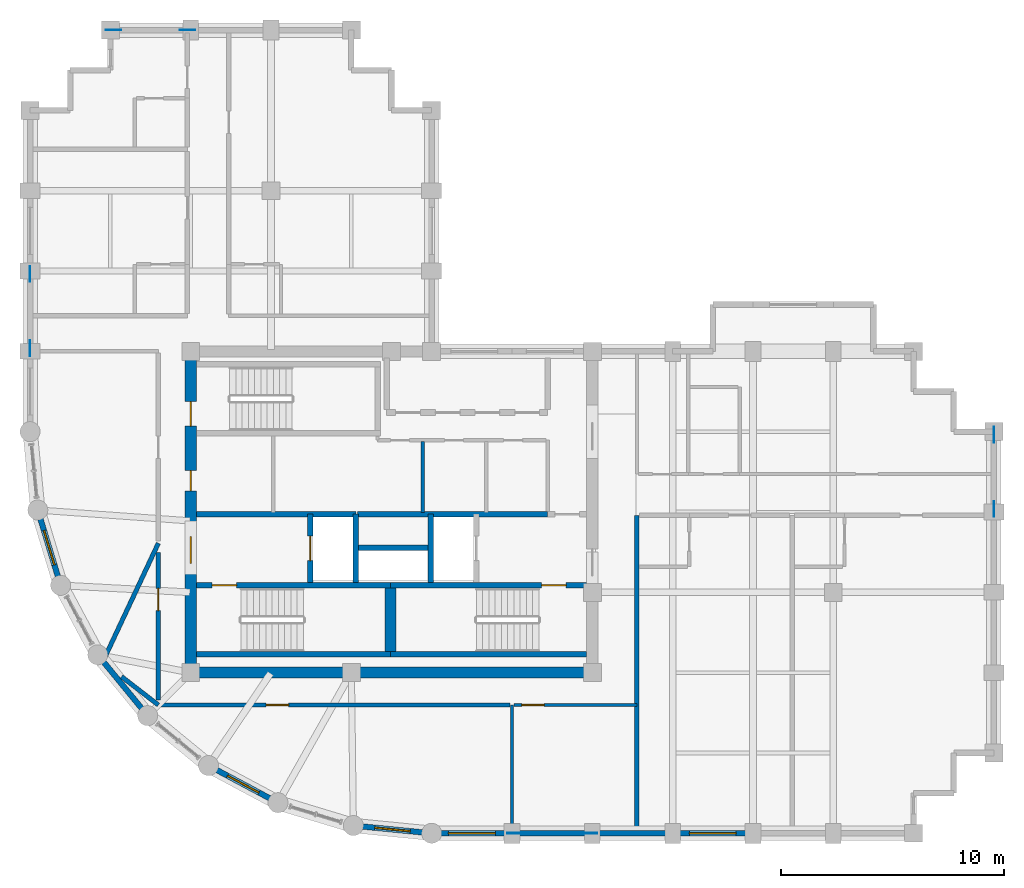
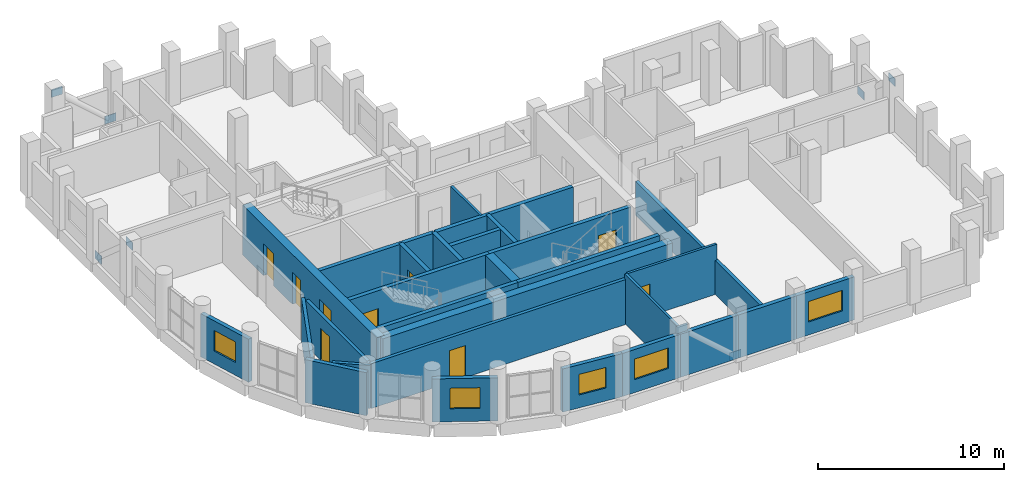
# One storey, part 7 of 11: 29 walls, 9 doors, 8 plates, 5 windows, 14 openings.
"""IFC4 building model written with IfcOpenShell, lengths in metres."""

import ifcopenshell
import ifcopenshell.guid

model = None  # the IFC model being written
_history = None  # IfcOwnerHistory: only IFC2X3 demands one
_inside = {}  # id of a spatial element -> (the spatial element, [elements in it])
_under = {}  # id of a project, library or spatial element -> (it, [spatial elements below it])
_declared = {}  # id of a project -> (the project, [libraries it declares])
_typed = {}  # id of a type object -> (the type object, [elements of that type])
_made_of = {}  # id of a material, layer set ... -> (it, [elements and type objects made of it])


def new_model(schema):
    """Start an empty IFC model of exactly this schema.

    Asked for "IFC4X3", IfcOpenShell would pick the latest addendum, in which some entities
    have other attributes; the version numbers below select the first issue.
    IFC2X3 requires an IfcOwnerHistory on every rooted entity: one is made here for all.
    """
    global model, _history
    if schema == "IFC4X3":
        model = ifcopenshell.file(schema_version=(4, 3, 0, 0))
    else:
        model = ifcopenshell.file(schema=schema)
    _inside.clear()
    _under.clear()
    _declared.clear()
    _typed.clear()
    _made_of.clear()
    _history = None
    if model.schema == "IFC2X3":
        org = make("IfcOrganization", Name="unknown")
        user = make(
            "IfcPersonAndOrganization",
            ThePerson=make("IfcPerson", FamilyName="unknown"),
            TheOrganization=org,
        )
        app = make(
            "IfcApplication",
            ApplicationDeveloper=org,
            Version="unknown",
            ApplicationFullName="unknown",
            ApplicationIdentifier="unknown",
        )
        _history = make(
            "IfcOwnerHistory",
            OwningUser=user,
            OwningApplication=app,
            ChangeAction="ADDED",
            CreationDate=0,
        )
    return model


def make(cls, **values):
    """One entity of the class cls with the attributes given. An attribute that is None is left unset."""
    return model.create_entity(
        cls, **{name: value for name, value in values.items() if value is not None}
    )


def rooted(cls, **values):
    """An entity with a GlobalId (a new one), such as an element, a storey or a relation."""
    return make(cls, GlobalId=ifcopenshell.guid.new(), OwnerHistory=_history, **values)


def si_unit(unit_type, name, prefix=None):
    """IfcSIUnit, for example si_unit("LENGTHUNIT", "METRE", prefix="MILLI")."""
    return make("IfcSIUnit", UnitType=unit_type, Prefix=prefix, Name=name)


def assignment(units):
    """IfcUnitAssignment: the units of a project."""
    return None if units is None else make("IfcUnitAssignment", Units=units)


def point(xyz):
    """IfcCartesianPoint."""
    return None if xyz is None else make("IfcCartesianPoint", Coordinates=xyz)


def direction(xyz):
    """IfcDirection."""
    return None if xyz is None else make("IfcDirection", DirectionRatios=xyz)


def frame(location, z_axis=None, x_axis=None):
    """IfcAxis2Placement3D, a coordinate frame: its origin and axes. An axis left out is left unset."""
    return make(
        "IfcAxis2Placement3D",
        Location=point(location),
        Axis=direction(z_axis),
        RefDirection=direction(x_axis),
    )


def frame_2d(location, x_axis=None):
    """IfcAxis2Placement2D, a coordinate frame in the plane: its origin and x axis."""
    return make(
        "IfcAxis2Placement2D", Location=point(location), RefDirection=direction(x_axis)
    )


def origin():
    """The frame at (0, 0, 0) with its axes left unset."""
    return frame((0.0, 0.0, 0.0))


def origin_2d():
    """The frame at (0, 0) in the plane with its x axis left unset."""
    return frame_2d((0.0, 0.0))


def place(relative_to, where):
    """IfcLocalPlacement: puts the frame where relative to a parent placement (None: the world)."""
    return make(
        "IfcLocalPlacement", PlacementRelTo=relative_to, RelativePlacement=where
    )


def context(
    kind, dimensions, precision=None, world=None, true_north=None, identifier=None
):
    """IfcGeometricRepresentationContext, for example the 3D "Model" context."""
    return make(
        "IfcGeometricRepresentationContext",
        ContextIdentifier=identifier,
        ContextType=kind,
        CoordinateSpaceDimension=dimensions,
        Precision=precision,
        WorldCoordinateSystem=world,
        TrueNorth=true_north,
    )


def subcontext(parent, identifier, kind, view, scale=None):
    """IfcGeometricRepresentationSubContext, for example "Body" below "Model"."""
    return make(
        "IfcGeometricRepresentationSubContext",
        ContextIdentifier=identifier,
        ContextType=kind,
        ParentContext=parent,
        TargetScale=scale,
        TargetView=view,
    )


def project(units=None, contexts=None):
    """IfcProject with its units and contexts."""
    return rooted(
        "IfcProject",
        Name="project",
        RepresentationContexts=contexts,
        UnitsInContext=assignment(units),
    )


def spatial(cls, under=None, at=None, **own):
    """A site, building, storey or space (cls), placed at a placement, below another one or the project."""
    s = rooted(cls, ObjectPlacement=at, **own)
    if under is not None:
        _under.setdefault(under.id(), (under, []))[1].append(s)
    return s


def profile(cls, at=None, kind="AREA", **sizes):
    """A parametric profile (cls). Its sizes go by their IFC names, for example OverallWidth=200.0."""
    return make(cls, ProfileType=kind, Position=at, **sizes)


def rectangle(**sizes):
    """IfcRectangleProfileDef."""
    return profile("IfcRectangleProfileDef", **sizes)


def extrude(swept, where, along, depth):
    """IfcExtrudedAreaSolid: the profile swept, set in the frame where, extruded along a direction by depth."""
    return make(
        "IfcExtrudedAreaSolid",
        SweptArea=swept,
        Position=where,
        ExtrudedDirection=direction(along),
        Depth=depth,
    )


def shape(context_of_items, identifier, shape_type, items):
    """IfcShapeRepresentation: the items that make up one representation, for example the "Body"."""
    return make(
        "IfcShapeRepresentation",
        ContextOfItems=context_of_items,
        RepresentationIdentifier=identifier,
        RepresentationType=shape_type,
        Items=items,
    )


def material(Name=None, Category=None):
    """IfcMaterial."""
    return make("IfcMaterial", Name=Name, Category=Category)


def layer(
    of_material, thickness, ventilated=None, Name=None, Category=None, Priority=None
):
    """IfcMaterialLayer: one layer of a wall or slab, of a material (None: an air gap)."""
    return make(
        "IfcMaterialLayer",
        Material=of_material,
        LayerThickness=thickness,
        IsVentilated=ventilated,
        Name=Name,
        Category=Category,
        Priority=Priority,
    )


def layer_set(layers, Name=None):
    """IfcMaterialLayerSet."""
    return make("IfcMaterialLayerSet", MaterialLayers=layers, LayerSetName=Name)


def made_of(thing, what):
    """Note that an element or type object is made of a material, layer set ...; save() writes the relation."""
    if what is not None:
        _made_of.setdefault(what.id(), (what, []))[1].append(thing)
    return thing


def type_object(cls, material=None, **own):
    """A type object (cls), such as IfcWallType, which elements share."""
    return made_of(rooted(cls, **own), material)


def element(
    cls,
    number,
    at=None,
    inside=None,
    cuts=None,
    type_object=None,
    material=None,
    context=None,
    identifier="Body",
    shape_type=None,
    held_by="IfcProductDefinitionShape",
    body=None,
    shapes=None,
    **own,
):
    """One element of the class cls, such as IfcWall. Its Tag is "e" and its number.

    at: its placement. inside: the storey or other place that contains it. cuts: it is an
    opening in that element (IfcRelVoidsElement). A single representation is given by context,
    identifier, shape_type and body (its items); several are given by shapes. held_by: the class
    of the entity that holds the representations. save() writes the other relations.
    """
    e = rooted(cls, Tag="e%d" % number, ObjectPlacement=at, **own)
    if body is not None:
        shapes = [shape(context, identifier, shape_type, body)]
    if shapes is not None:
        e.Representation = make(held_by, Representations=shapes)
    if inside is not None:
        _inside.setdefault(inside.id(), (inside, []))[1].append(e)
    if cuts is not None:
        rooted(
            "IfcRelVoidsElement", RelatingBuildingElement=cuts, RelatedOpeningElement=e
        )
    if type_object is not None:
        _typed.setdefault(type_object.id(), (type_object, []))[1].append(e)
    return made_of(e, material)


def fill(opening, filler):
    """IfcRelFillsElement: the door or window that sits in an opening."""
    return rooted(
        "IfcRelFillsElement",
        RelatingOpeningElement=opening,
        RelatedBuildingElement=filler,
    )


def aggregate(whole, parts):
    """IfcRelAggregates: a whole, such as a stair, and the parts it consists of."""
    return rooted("IfcRelAggregates", RelatingObject=whole, RelatedObjects=parts)


def save(model, path):
    """Write the relations noted so far, then the file.

    IfcRelAggregates (storeys below a building ...), IfcRelContainedInSpatialStructure (elements
    in a storey), IfcRelDefinesByType, IfcRelAssociatesMaterial and IfcRelDeclares: one each for
    every whole, place, type object, material and project.
    """
    for whole, parts in _under.values():
        aggregate(whole, parts)
    for where, things in _inside.values():
        rooted(
            "IfcRelContainedInSpatialStructure",
            RelatedElements=things,
            RelatingStructure=where,
        )
    for kind, things in _typed.values():
        rooted("IfcRelDefinesByType", RelatedObjects=things, RelatingType=kind)
    for what, things in _made_of.values():
        rooted("IfcRelAssociatesMaterial", RelatedObjects=things, RelatingMaterial=what)
    for by, libraries in _declared.values():
        rooted("IfcRelDeclares", RelatingContext=by, RelatedDefinitions=libraries)
    model.write(path)


model = new_model("IFC4")

# Units and contexts
model_context = context("Model", 3, precision=1e-05, world=origin(), true_north=direction((0.0, 1.0)))
body_context = subcontext(model_context, "Body", "Model", "MODEL_VIEW")
ifc_project = project(units=[si_unit("LENGTHUNIT", "METRE"), si_unit("AREAUNIT", "SQUARE_METRE"), si_unit("VOLUMEUNIT", "CUBIC_METRE"), si_unit("PLANEANGLEUNIT", "RADIAN"), si_unit("MASSUNIT", "GRAM", prefix="KILO")], contexts=[model_context])

# Site, building, storey
site_placement = place(None, origin())
site = spatial("IfcSite", under=ifc_project, at=site_placement, CompositionType="ELEMENT")
building_placement = place(site_placement, origin())
building = spatial("IfcBuilding", under=site, at=building_placement, Name="Solnavia Interchange Tower", CompositionType="ELEMENT")
storey_placement = place(building_placement, frame((0.0, 0.0, 217.39990234375)))
storey = spatial("IfcBuildingStorey", under=building, at=storey_placement, Name="L54", CompositionType="ELEMENT", Elevation=217.39990234375)

# Plates
ifc_material_1 = material(Name="Steel S460", Category="steel")
ifc_layer_1 = layer(ifc_material_1, 0.030029296875)
ifc_layer_set_1 = layer_set([ifc_layer_1], Name="Steel S460")
plate_type = type_object("IfcPlateType", Name="Plate-Gusset-700x520x30", PredefinedType="USERDEFINED", material=ifc_layer_set_1)
for number, where, z_axis, x_axis, name in (
    (1, (32.260009765625, 3.60009765625, -0.079833984375), (0.0, 0.0, 1.0), (-1.0, 0.0, 0.0), "PLT-L54-GP01 Perimeter brace gusset plate"),
    (2, (28.93994140625, 3.60009765625, 2.840087890625), (0.0, 0.0, 1.0), (-1.0, 0.0, 0.0), "PLT-L54-GP02 Perimeter brace gusset plate"),
    (3, (7.199951171875, 28.659912109375, -0.079833984375), (0.0, 0.0, 1.0), (0.0, -1.0, 0.0), "PLT-L54-GP03 Perimeter brace gusset plate"),
    (4, (7.199951171875, 25.340087890625, 2.840087890625), (0.0, 0.0, 1.0), (0.0, -1.0, 0.0), "PLT-L54-GP04 Perimeter brace gusset plate"),
    (5, (50.39990234375, 21.4599609375, -0.079833984375), (0.0, 0.0, 1.0), (0.0, -1.0, 0.0), "PLT-L54-GP05 Perimeter brace gusset plate"),
    (6, (50.39990234375, 18.139892578125, 2.840087890625), (0.0, 0.0, 1.0), (0.0, -1.0, 0.0), "PLT-L54-GP06 Perimeter brace gusset plate"),
    (7, (14.260009765625, 39.60009765625, -0.079833984375), (0.0, 0.0, 1.0), (-1.0, 0.0, 0.0), "PLT-L54-GP07 Perimeter brace gusset plate"),
    (8, (10.93994140625, 39.60009765625, 2.840087890625), (0.0, 0.0, 1.0), (-1.0, 0.0, 0.0), "PLT-L54-GP08 Perimeter brace gusset plate"),
):
    element("IfcPlate", number, at=place(storey_placement, frame(where, z_axis=z_axis, x_axis=x_axis)), inside=storey, type_object=plate_type, Name=name, ObjectType="GUSSET PLATE", PredefinedType="USERDEFINED", context=body_context, shape_type="SweptSolid", body=[
        extrude(rectangle(XDim=0.699951171875, YDim=0.030029296875, at=origin_2d()), origin(), (0.0, 0.0, 1.0), 0.52001953125),
    ])

# Walls
ifc_material_2 = material(Name="Gypsum Acoustic Twin-Stud & Mineral Wool", Category="gypsum")
ifc_layer_2 = layer(ifc_material_2, 0.199951171875)
ifc_layer_set_2 = layer_set([ifc_layer_2], Name="Gypsum Acoustic Twin-Stud & Mineral Wool")
wall_type_1 = type_object("IfcWallType", Name="Wall-ApartmentParty-200", PredefinedType="PARTITIONING", material=ifc_layer_set_2)
wall_1_placement = place(storey_placement, frame((12.949951171875, 9.35009765625, 0.0), z_axis=(0.0, 0.0, 1.0), x_axis=(-0.791573423038, 0.611074067474, 0.0)))
element("IfcWall", 9, at=wall_1_placement, inside=storey, type_object=wall_type_1, Name="PTW-L54-09 Interior partition wall", PredefinedType="PARTITIONING", context=body_context, shape_type="SweptSolid", body=[
    extrude(rectangle(XDim=2.084228515625, YDim=0.199951171875, at=frame_2d((1.0419921875, 0.0))), origin(), (0.0, 0.0, 1.0), 2.830078125),
])
wall_2_placement = place(storey_placement, frame((12.949951171875, 16.60009765625, 0.0), z_axis=(0.0, 0.0, 1.0), x_axis=(-0.424351425714, -0.90549758006, 0.0)))
element("IfcWall", 10, at=wall_2_placement, inside=storey, type_object=wall_type_1, Name="PTW-L54-10 Interior partition wall", PredefinedType="PARTITIONING", context=body_context, shape_type="SweptSolid", body=[
    extrude(rectangle(XDim=5.614013671875, YDim=0.199951171875, at=frame_2d((2.80712890625, 0.0))), origin(), (0.0, 0.0, 1.0), 2.830078125),
])

# Wall, opening, door
wall_3_placement = place(storey_placement, frame((12.949951171875, 9.577392578125, 0.0), z_axis=(0.0, 0.0, 1.0), x_axis=(0.0, 1.0, 0.0)))
wall_3 = element("IfcWall", 11, at=wall_3_placement, inside=storey, type_object=wall_type_1, Name="PTW-L54-12 Interior partition wall", PredefinedType="PARTITIONING", context=body_context, shape_type="SweptSolid", body=[
    extrude(rectangle(XDim=6.598388671875, YDim=0.199951171875, at=frame_2d((3.29931640625, 0.0))), origin(), (0.0, 0.0, 1.0), 2.9501953125),
])
opening_1_placement = place(wall_3_placement, frame((4.00390625, 0.0, 0.0)))
opening_1 = element("IfcOpeningElement", 12, at=opening_1_placement, cuts=wall_3, Name="Opening DR-07", PredefinedType="OPENING", context=body_context, shape_type="SweptSolid", body=[
    extrude(rectangle(XDim=1.0, YDim=2.10009765625, at=frame_2d((0.5, 1.050048828125))), frame((0.0, 0.10986328125, 0.0), z_axis=(0.0, -1.0, 0.0), x_axis=(1.0, 0.0, 0.0)), (0.0, 0.0, 1.0), 0.219970703125),
])
ifc_material_3 = material(Name="Timber & Acoustic Glazed Office Door", Category="wood")
door_type_1 = type_object("IfcDoorType", Name="Door-Office-1000x2100", OperationType="SINGLE_SWING_RIGHT", PredefinedType="DOOR", material=ifc_material_3)
door_1_placement = place(opening_1_placement, origin())
door_1 = element("IfcDoor", 13, at=door_1_placement, inside=storey, type_object=door_type_1, Name="DR-L54-04 Interior room door", OperationType="SINGLE_SWING_RIGHT", OverallHeight=2.10009765625, OverallWidth=1.0, PredefinedType="DOOR", context=body_context, shape_type="SweptSolid", body=[
    extrude(rectangle(XDim=1.0, YDim=2.10009765625, at=frame_2d((0.5, 1.050048828125))), frame((0.0, 0.02490234375, 0.0), z_axis=(0.0, -1.0, 0.0), x_axis=(1.0, 0.0, 0.0)), (0.0, 0.0, 1.0), 0.050048828125),
])
fill(opening_1, door_1)

wall_4_placement = place(storey_placement, frame((12.949951171875, 9.35009765625, 0.0), z_axis=(0.0, 0.0, 1.0), x_axis=(1.0, 0.0, 0.0)))
wall_4 = element("IfcWall", 14, at=wall_4_placement, inside=storey, type_object=wall_type_1, Name="PTW-L54-13 Interior partition wall", PredefinedType="PARTITIONING", context=body_context, shape_type="SweptSolid", body=[
    extrude(rectangle(XDim=15.77099609375, YDim=0.199951171875, at=frame_2d((7.885498046875, 0.0))), origin(), (0.0, 0.0, 1.0), 2.9501953125),
])
opening_2_placement = place(wall_4_placement, frame((4.8359375, 0.0, 0.0)))
opening_2 = element("IfcOpeningElement", 15, at=opening_2_placement, cuts=wall_4, Name="Opening DR-07", PredefinedType="OPENING", context=body_context, shape_type="SweptSolid", body=[
    extrude(rectangle(XDim=1.0, YDim=2.10009765625, at=frame_2d((0.5, 1.050048828125))), frame((0.0, 0.10986328125, 0.0), z_axis=(0.0, -1.0, 0.0), x_axis=(1.0, 0.0, 0.0)), (0.0, 0.0, 1.0), 0.219970703125),
])
door_2_placement = place(opening_2_placement, origin())
door_2 = element("IfcDoor", 16, at=door_2_placement, inside=storey, type_object=door_type_1, Name="DR-L54-05 Interior room door", OperationType="SINGLE_SWING_LEFT", OverallHeight=2.10009765625, OverallWidth=1.0, PredefinedType="DOOR", context=body_context, shape_type="SweptSolid", body=[
    extrude(rectangle(XDim=1.0, YDim=2.10009765625, at=frame_2d((0.5, 1.050048828125))), frame((0.0, 0.02490234375, 0.0), z_axis=(0.0, -1.0, 0.0), x_axis=(1.0, 0.0, 0.0)), (0.0, 0.0, 1.0), 0.050048828125),
])
fill(opening_2, door_2)

# Wall
wall_5_placement = place(storey_placement, frame((34.39990234375, 3.72900390625, 0.0), z_axis=(0.0, 0.0, 1.0), x_axis=(0.0, 1.0, 0.0)))
element("IfcWall", 17, at=wall_5_placement, inside=storey, type_object=wall_type_1, Name="PTW-L54-15 Interior partition wall", PredefinedType="PARTITIONING", context=body_context, shape_type="SweptSolid", body=[
    extrude(rectangle(XDim=14.12109375, YDim=0.199951171875, at=frame_2d((7.060546875, 0.0))), origin(), (0.0, 0.0, 1.0), 2.22998046875),
])

# Wall, opening, window
ifc_material_4 = material(Name="Concrete C40/50", Category="concrete")
ifc_layer_3 = layer(ifc_material_4, 0.25)
ifc_layer_set_3 = layer_set([ifc_layer_3], Name="Concrete C40/50")
wall_type_2 = type_object("IfcWallType", Name="Wall-ExtSpandrel-250", PredefinedType="STANDARD", material=ifc_layer_set_3)
wall_6_placement = place(storey_placement, frame((28.800048828125, 3.60009765625, 0.0), z_axis=(0.0, 0.0, 1.0), x_axis=(-1.0, 0.0, 0.0)))
wall_6 = element("IfcWall", 18, at=wall_6_placement, inside=storey, type_object=wall_type_2, Name="EXW-L54-01 Exterior precast spandrel wall", PredefinedType="STANDARD", context=body_context, shape_type="SweptSolid", body=[
    extrude(rectangle(XDim=3.60009765625, YDim=0.25, at=frame_2d((1.800048828125, 0.0))), origin(), (0.0, 0.0, 1.0), 2.830078125),
])
opening_3_placement = place(wall_6_placement, frame((0.75, 0.0, 0.85009765625)))
opening_3 = element("IfcOpeningElement", 19, at=opening_3_placement, cuts=wall_6, Name="Opening WIN-01", PredefinedType="OPENING", context=body_context, shape_type="SweptSolid", body=[
    extrude(rectangle(XDim=2.10009765625, YDim=1.35009765625, at=frame_2d((1.050048828125, 0.675048828125))), frame((0.0, 0.135009765625, 0.0), z_axis=(0.0, -1.0, 0.0), x_axis=(1.0, 0.0, 0.0)), (0.0, 0.0, 1.0), 0.27001953125),
])
ifc_material_5 = material(Name="Thermal-Break Aluminium & Low-E Glass", Category="aluminium")
window_type_1 = type_object("IfcWindowType", Name="Window-Ribbon-2100x1350", PartitioningType="SINGLE_PANEL", PredefinedType="WINDOW", material=ifc_material_5)
window_1_placement = place(opening_3_placement, origin())
window_1 = element("IfcWindow", 20, at=window_1_placement, inside=storey, type_object=window_type_1, Name="WIN-L54-01 Facade ribbon window", OverallHeight=1.35009765625, OverallWidth=2.10009765625, PartitioningType="SINGLE_PANEL", PredefinedType="WINDOW", context=body_context, shape_type="SweptSolid", body=[
    extrude(rectangle(XDim=2.10009765625, YDim=1.35009765625, at=frame_2d((1.050048828125, 0.675048828125))), frame((0.0, 0.030029296875, 0.0), z_axis=(0.0, -1.0, 0.0), x_axis=(1.0, 0.0, 0.0)), (0.0, 0.0, 1.0), 0.06005859375),
])
fill(opening_3, window_1)

# Walls
wall_7_placement = place(storey_placement, frame((32.39990234375, 3.60009765625, 0.0), z_axis=(0.0, 0.0, 1.0), x_axis=(-1.0, 0.0, 0.0)))
element("IfcWall", 21, at=wall_7_placement, inside=storey, type_object=wall_type_2, Name="EXW-L54-02 Exterior precast spandrel wall", PredefinedType="STANDARD", context=body_context, shape_type="SweptSolid", body=[
    extrude(rectangle(XDim=3.599853515625, YDim=0.25, at=frame_2d((1.7998046875, 0.0))), origin(), (0.0, 0.0, 1.0), 2.830078125),
])
wall_8_placement = place(storey_placement, frame((36.0, 3.60009765625, 0.0), z_axis=(0.0, 0.0, 1.0), x_axis=(-1.0, 0.0, 0.0)))
element("IfcWall", 22, at=wall_8_placement, inside=storey, type_object=wall_type_2, Name="EXW-L54-03 Exterior precast spandrel wall", PredefinedType="STANDARD", context=body_context, shape_type="SweptSolid", body=[
    extrude(rectangle(XDim=3.60009765625, YDim=0.25, at=frame_2d((1.800048828125, 0.0))), origin(), (0.0, 0.0, 1.0), 2.830078125),
])

# Wall, opening, window
wall_9_placement = place(storey_placement, frame((39.60009765625, 3.60009765625, 0.0), z_axis=(0.0, 0.0, 1.0), x_axis=(-1.0, 0.0, 0.0)))
wall_9 = element("IfcWall", 23, at=wall_9_placement, inside=storey, type_object=wall_type_2, Name="EXW-L54-04 Exterior precast spandrel wall", PredefinedType="STANDARD", context=body_context, shape_type="SweptSolid", body=[
    extrude(rectangle(XDim=3.60009765625, YDim=0.25, at=frame_2d((1.800048828125, 0.0))), origin(), (0.0, 0.0, 1.0), 2.830078125),
])
opening_4_placement = place(wall_9_placement, frame((0.75, 0.0, 0.85009765625)))
opening_4 = element("IfcOpeningElement", 24, at=opening_4_placement, cuts=wall_9, Name="Opening WIN-01", PredefinedType="OPENING", context=body_context, shape_type="SweptSolid", body=[
    extrude(rectangle(XDim=2.10009765625, YDim=1.35009765625, at=frame_2d((1.050048828125, 0.675048828125))), frame((0.0, 0.135009765625, 0.0), z_axis=(0.0, -1.0, 0.0), x_axis=(1.0, 0.0, 0.0)), (0.0, 0.0, 1.0), 0.27001953125),
])
window_2_placement = place(opening_4_placement, origin())
window_2 = element("IfcWindow", 25, at=window_2_placement, inside=storey, type_object=window_type_1, Name="WIN-L54-04 Facade ribbon window", OverallHeight=1.35009765625, OverallWidth=2.10009765625, PartitioningType="SINGLE_PANEL", PredefinedType="WINDOW", context=body_context, shape_type="SweptSolid", body=[
    extrude(rectangle(XDim=2.10009765625, YDim=1.35009765625, at=frame_2d((1.050048828125, 0.675048828125))), frame((0.0, 0.030029296875, 0.0), z_axis=(0.0, -1.0, 0.0), x_axis=(1.0, 0.0, 0.0)), (0.0, 0.0, 1.0), 0.06005859375),
])
fill(opening_4, window_2)

wall_10_placement = place(storey_placement, frame((8.570068359375, 14.7119140625, 0.0), z_axis=(0.0, 0.0, 1.0), x_axis=(-0.290305086481, 0.956934144423, 0.0)))
wall_10 = element("IfcWall", 26, at=wall_10_placement, inside=storey, type_object=wall_type_2, Name="EXW-L54-48 Exterior precast spandrel wall", PredefinedType="STANDARD", context=body_context, shape_type="SweptSolid", body=[
    extrude(rectangle(XDim=3.52783203125, YDim=0.25, at=frame_2d((1.763916015625, 0.0))), origin(), (0.0, 0.0, 1.0), 2.830078125),
])
opening_5_placement = place(wall_10_placement, frame((0.964111328125, 0.0, 0.85009765625)))
opening_5 = element("IfcOpeningElement", 27, at=opening_5_placement, cuts=wall_10, Name="Opening WIN-04", PredefinedType="OPENING", context=body_context, shape_type="SweptSolid", body=[
    extrude(rectangle(XDim=1.60009765625, YDim=1.35009765625, at=frame_2d((0.800048828125, 0.675048828125))), frame((0.0, 0.135009765625, 0.0), z_axis=(0.0, -1.0, 0.0), x_axis=(1.0, 0.0, 0.0)), (0.0, 0.0, 1.0), 0.27001953125),
])
window_type_2 = type_object("IfcWindowType", Name="Window-Drum-1600x1350", PartitioningType="SINGLE_PANEL", PredefinedType="WINDOW", material=ifc_material_5)
window_3_placement = place(opening_5_placement, origin())
window_3 = element("IfcWindow", 28, at=window_3_placement, inside=storey, type_object=window_type_2, Name="WIN-L54-48 Facade ribbon window", OverallHeight=1.35009765625, OverallWidth=1.60009765625, PartitioningType="SINGLE_PANEL", PredefinedType="WINDOW", context=body_context, shape_type="SweptSolid", body=[
    extrude(rectangle(XDim=1.60009765625, YDim=1.35009765625, at=frame_2d((0.800048828125, 0.675048828125))), frame((0.0, 0.030029296875, 0.0), z_axis=(0.0, -1.0, 0.0), x_axis=(1.0, 0.0, 0.0)), (0.0, 0.0, 1.0), 0.06005859375),
])
fill(opening_5, window_3)

# Wall
wall_11_placement = place(storey_placement, frame((12.471923828125, 8.8720703125, 0.0), z_axis=(0.0, 0.0, 1.0), x_axis=(-0.634258295121, 0.773121216285, 0.0)))
element("IfcWall", 29, at=wall_11_placement, inside=storey, type_object=wall_type_2, Name="EXW-L54-50 Exterior precast spandrel wall", PredefinedType="STANDARD", context=body_context, shape_type="SweptSolid", body=[
    extrude(rectangle(XDim=3.528564453125, YDim=0.25, at=frame_2d((1.76416015625, 0.0))), origin(), (0.0, 0.0, 1.0), 2.830078125),
])

# Wall, opening, window
wall_12_placement = place(storey_placement, frame((18.31201171875, 4.969970703125, 0.0), z_axis=(0.0, 0.0, 1.0), x_axis=(-0.881846862014, 0.471535907389, 0.0)))
wall_12 = element("IfcWall", 30, at=wall_12_placement, inside=storey, type_object=wall_type_2, Name="EXW-L54-52 Exterior precast spandrel wall", PredefinedType="STANDARD", context=body_context, shape_type="SweptSolid", body=[
    extrude(rectangle(XDim=3.529052734375, YDim=0.25, at=frame_2d((1.7646484375, 0.0))), origin(), (0.0, 0.0, 1.0), 2.830078125),
])
opening_6_placement = place(wall_12_placement, frame((0.964111328125, 0.0, 0.85009765625)))
opening_6 = element("IfcOpeningElement", 31, at=opening_6_placement, cuts=wall_12, Name="Opening WIN-04", PredefinedType="OPENING", context=body_context, shape_type="SweptSolid", body=[
    extrude(rectangle(XDim=1.60009765625, YDim=1.35009765625, at=frame_2d((0.800048828125, 0.675048828125))), frame((0.0, 0.135009765625, 0.0), z_axis=(0.0, -1.0, 0.0), x_axis=(1.0, 0.0, 0.0)), (0.0, 0.0, 1.0), 0.27001953125),
])
window_4_placement = place(opening_6_placement, origin())
window_4 = element("IfcWindow", 32, at=window_4_placement, inside=storey, type_object=window_type_2, Name="WIN-L54-52 Facade ribbon window", OverallHeight=1.35009765625, OverallWidth=1.60009765625, PartitioningType="SINGLE_PANEL", PredefinedType="WINDOW", context=body_context, shape_type="SweptSolid", body=[
    extrude(rectangle(XDim=1.60009765625, YDim=1.35009765625, at=frame_2d((0.800048828125, 0.675048828125))), frame((0.0, 0.030029296875, 0.0), z_axis=(0.0, -1.0, 0.0), x_axis=(1.0, 0.0, 0.0)), (0.0, 0.0, 1.0), 0.06005859375),
])
fill(opening_6, window_4)

wall_13_placement = place(storey_placement, frame((25.199951171875, 3.60009765625, 0.0), z_axis=(0.0, 0.0, 1.0), x_axis=(-0.995183369056, 0.098030923459, 0.0)))
wall_13 = element("IfcWall", 33, at=wall_13_placement, inside=storey, type_object=wall_type_2, Name="EXW-L54-54 Exterior precast spandrel wall", PredefinedType="STANDARD", context=body_context, shape_type="SweptSolid", body=[
    extrude(rectangle(XDim=3.529052734375, YDim=0.25, at=frame_2d((1.7646484375, 0.0))), origin(), (0.0, 0.0, 1.0), 2.830078125),
])
opening_7_placement = place(wall_13_placement, frame((0.965087890625, 0.0, 0.85009765625)))
opening_7 = element("IfcOpeningElement", 34, at=opening_7_placement, cuts=wall_13, Name="Opening WIN-04", PredefinedType="OPENING", context=body_context, shape_type="SweptSolid", body=[
    extrude(rectangle(XDim=1.60009765625, YDim=1.35009765625, at=frame_2d((0.800048828125, 0.675048828125))), frame((0.0, 0.135009765625, 0.0), z_axis=(0.0, -1.0, 0.0), x_axis=(1.0, 0.0, 0.0)), (0.0, 0.0, 1.0), 0.27001953125),
])
window_5_placement = place(opening_7_placement, origin())
window_5 = element("IfcWindow", 35, at=window_5_placement, inside=storey, type_object=window_type_2, Name="WIN-L54-54 Facade ribbon window", OverallHeight=1.35009765625, OverallWidth=1.60009765625, PartitioningType="SINGLE_PANEL", PredefinedType="WINDOW", context=body_context, shape_type="SweptSolid", body=[
    extrude(rectangle(XDim=1.60009765625, YDim=1.35009765625, at=frame_2d((0.800048828125, 0.675048828125))), frame((0.0, 0.030029296875, 0.0), z_axis=(0.0, -1.0, 0.0), x_axis=(1.0, 0.0, 0.0)), (0.0, 0.0, 1.0), 0.06005859375),
])
fill(opening_7, window_5)

# Walls
ifc_material_6 = material(Name="Gypsum Plasterboard & Steel Stud", Category="steel")
ifc_layer_4 = layer(ifc_material_6, 0.14990234375)
ifc_layer_set_4 = layer_set([ifc_layer_4], Name="Gypsum Plasterboard & Steel Stud")
wall_type_3 = type_object("IfcWallType", Name="Wall-Partition-150", PredefinedType="PARTITIONING", material=ifc_layer_set_4)
wall_14_placement = place(storey_placement, frame((24.800048828125, 17.97998046875, 0.0), z_axis=(0.0, 0.0, 1.0), x_axis=(0.0, 1.0, 0.0)))
element("IfcWall", 36, at=wall_14_placement, inside=storey, type_object=wall_type_3, Name="CSW-L54-M2 Core shaft wall", PredefinedType="PARTITIONING", context=body_context, shape_type="SweptSolid", body=[
    extrude(rectangle(XDim=3.169921875, YDim=0.14990234375, at=frame_2d((1.5849609375, 0.0))), origin(), (0.0, 0.0, 1.0), 3.26513671875),
])
wall_15_placement = place(storey_placement, frame((28.800048828125, 9.35009765625, 0.0), z_axis=(0.0, 0.0, 1.0), x_axis=(0.0, -1.0, 0.0)))
element("IfcWall", 37, at=wall_15_placement, inside=storey, type_object=wall_type_3, Name="PTW-L54-08 Interior partition wall", PredefinedType="PARTITIONING", context=body_context, shape_type="SweptSolid", body=[
    extrude(rectangle(XDim=5.62109375, YDim=0.14990234375, at=frame_2d((2.810546875, 0.0))), origin(), (0.0, 0.0, 1.0), 3.26513671875),
])

# Wall, opening, door
wall_16_placement = place(storey_placement, frame((28.87890625, 9.35009765625, 0.0), z_axis=(0.0, 0.0, 1.0), x_axis=(1.0, 0.0, 0.0)))
wall_16 = element("IfcWall", 38, at=wall_16_placement, inside=storey, type_object=wall_type_3, Name="PTW-L54-14 Interior partition wall", PredefinedType="PARTITIONING", context=body_context, shape_type="SweptSolid", body=[
    extrude(rectangle(XDim=5.52099609375, YDim=0.14990234375, at=frame_2d((2.760498046875, 0.0))), origin(), (0.0, 0.0, 1.0), 3.26513671875),
])
opening_8_placement = place(wall_16_placement, frame((0.360107421875, 0.0, 0.0)))
opening_8 = element("IfcOpeningElement", 39, at=opening_8_placement, cuts=wall_16, Name="Opening DR-07", PredefinedType="OPENING", context=body_context, shape_type="SweptSolid", body=[
    extrude(rectangle(XDim=1.0, YDim=2.10009765625, at=frame_2d((0.5, 1.050048828125))), frame((0.0, 0.0849609375, 0.0), z_axis=(0.0, -1.0, 0.0), x_axis=(1.0, 0.0, 0.0)), (0.0, 0.0, 1.0), 0.169921875),
])
door_3_placement = place(opening_8_placement, origin())
door_3 = element("IfcDoor", 40, at=door_3_placement, inside=storey, type_object=door_type_1, Name="DR-L54-06 Interior room door", OperationType="SINGLE_SWING_LEFT", OverallHeight=2.10009765625, OverallWidth=1.0, PredefinedType="DOOR", context=body_context, shape_type="SweptSolid", body=[
    extrude(rectangle(XDim=1.0, YDim=2.10009765625, at=frame_2d((0.5, 1.050048828125))), frame((0.0, 0.02490234375, 0.0), z_axis=(0.0, -1.0, 0.0), x_axis=(1.0, 0.0, 0.0)), (0.0, 0.0, 1.0), 0.050048828125),
])
fill(opening_8, door_3)

# Wall
ifc_layer_5 = layer(ifc_material_4, 0.25)
ifc_layer_set_5 = layer_set([ifc_layer_5], Name="Concrete C40/50")
wall_type_4 = type_object("IfcWallType", Name="Wall-ShaftCore-250", PredefinedType="SHEAR", material=ifc_layer_set_5)
wall_17_placement = place(storey_placement, frame((14.64990234375, 11.625, 0.0), z_axis=(0.0, 0.0, 1.0), x_axis=(1.0, 0.0, 0.0)))
element("IfcWall", 41, at=wall_17_placement, inside=storey, type_object=wall_type_4, Name="SHW-L54-ST1S Core shear wall", PredefinedType="SHEAR", context=body_context, shape_type="SweptSolid", body=[
    extrude(rectangle(XDim=8.7001953125, YDim=0.25, at=frame_2d((4.35009765625, 0.0))), origin(), (0.0, 0.0, 1.0), 3.280029296875),
])

# Wall, opening, door
wall_18_placement = place(storey_placement, frame((14.64990234375, 14.715087890625, 0.0), z_axis=(0.0, 0.0, 1.0), x_axis=(1.0, 0.0, 0.0)))
wall_18 = element("IfcWall", 42, at=wall_18_placement, inside=storey, type_object=wall_type_4, Name="SHW-L54-ST1N Core shear wall", PredefinedType="SHEAR", context=body_context, shape_type="SweptSolid", body=[
    extrude(rectangle(XDim=8.7001953125, YDim=0.25, at=frame_2d((4.35009765625, 0.0))), origin(), (0.0, 0.0, 1.0), 3.280029296875),
])
opening_9_placement = place(wall_18_placement, frame((0.705078125, 0.0, 0.0)))
opening_9 = element("IfcOpeningElement", 43, at=opening_9_placement, cuts=wall_18, Name="Opening DR-01", PredefinedType="OPENING", context=body_context, shape_type="SweptSolid", body=[
    extrude(rectangle(XDim=1.10009765625, YDim=2.10009765625, at=frame_2d((0.550048828125, 1.050048828125))), frame((0.0, 0.135009765625, 0.0), z_axis=(0.0, -1.0, 0.0), x_axis=(1.0, 0.0, 0.0)), (0.0, 0.0, 1.0), 0.27001953125),
])
ifc_material_7 = material(Name="Steel Fire-Rated Leaf & Frame", Category="steel")
door_type_2 = type_object("IfcDoorType", Name="Door-StairFire-1100x2100", OperationType="SINGLE_SWING_LEFT", PredefinedType="DOOR", material=ifc_material_7)
door_4_placement = place(opening_9_placement, origin())
door_4 = element("IfcDoor", 44, at=door_4_placement, inside=storey, type_object=door_type_2, Name="DR-L54-ST1 Core fire door", OperationType="SINGLE_SWING_LEFT", OverallHeight=2.10009765625, OverallWidth=1.10009765625, PredefinedType="DOOR", context=body_context, shape_type="SweptSolid", body=[
    extrude(rectangle(XDim=1.10009765625, YDim=2.10009765625, at=frame_2d((0.550048828125, 1.050048828125))), frame((0.0, 0.02490234375, 0.0), z_axis=(0.0, -1.0, 0.0), x_axis=(1.0, 0.0, 0.0)), (0.0, 0.0, 1.0), 0.050048828125),
])
fill(opening_9, door_4)

# Wall
wall_19_placement = place(storey_placement, frame((23.35009765625, 11.625, 0.0), z_axis=(0.0, 0.0, 1.0), x_axis=(1.0, 0.0, 0.0)))
element("IfcWall", 45, at=wall_19_placement, inside=storey, type_object=wall_type_4, Name="SHW-L54-ST2S Core shear wall", PredefinedType="SHEAR", context=body_context, shape_type="SweptSolid", body=[
    extrude(rectangle(XDim=8.7998046875, YDim=0.25, at=frame_2d((4.39990234375, 0.0))), origin(), (0.0, 0.0, 1.0), 3.280029296875),
])

# Wall, opening, door
wall_20_placement = place(storey_placement, frame((23.35009765625, 14.715087890625, 0.0), z_axis=(0.0, 0.0, 1.0), x_axis=(1.0, 0.0, 0.0)))
wall_20 = element("IfcWall", 46, at=wall_20_placement, inside=storey, type_object=wall_type_4, Name="SHW-L54-ST2N Core shear wall", PredefinedType="SHEAR", context=body_context, shape_type="SweptSolid", body=[
    extrude(rectangle(XDim=8.7998046875, YDim=0.25, at=frame_2d((4.39990234375, 0.0))), origin(), (0.0, 0.0, 1.0), 3.280029296875),
])
opening_10_placement = place(wall_20_placement, frame((6.77490234375, 0.0, 0.0)))
opening_10 = element("IfcOpeningElement", 47, at=opening_10_placement, cuts=wall_20, Name="Opening DR-01", PredefinedType="OPENING", context=body_context, shape_type="SweptSolid", body=[
    extrude(rectangle(XDim=1.10009765625, YDim=2.10009765625, at=frame_2d((0.550048828125, 1.050048828125))), frame((0.0, 0.135009765625, 0.0), z_axis=(0.0, -1.0, 0.0), x_axis=(1.0, 0.0, 0.0)), (0.0, 0.0, 1.0), 0.27001953125),
])
door_5_placement = place(opening_10_placement, origin())
door_5 = element("IfcDoor", 48, at=door_5_placement, inside=storey, type_object=door_type_2, Name="DR-L54-ST2 Core fire door", OperationType="SINGLE_SWING_LEFT", OverallHeight=2.10009765625, OverallWidth=1.10009765625, PredefinedType="DOOR", context=body_context, shape_type="SweptSolid", body=[
    extrude(rectangle(XDim=1.10009765625, YDim=2.10009765625, at=frame_2d((0.550048828125, 1.050048828125))), frame((0.0, 0.02490234375, 0.0), z_axis=(0.0, -1.0, 0.0), x_axis=(1.0, 0.0, 0.0)), (0.0, 0.0, 1.0), 0.050048828125),
])
fill(opening_10, door_5)

# Wall
ifc_layer_6 = layer(ifc_material_4, 0.25)
ifc_layer_set_6 = layer_set([ifc_layer_6], Name="Concrete C40/50")
wall_type_5 = type_object("IfcWallType", Name="Wall-ShaftPart-250", PredefinedType="PARTITIONING", material=ifc_layer_set_6)
wall_21_placement = place(storey_placement, frame((14.64990234375, 17.89990234375, 0.0), z_axis=(0.0, 0.0, 1.0), x_axis=(1.0, 0.0, 0.0)))
element("IfcWall", 49, at=wall_21_placement, inside=storey, type_object=wall_type_5, Name="SHW-L54-FFLW-N Core shaft wall", PredefinedType="PARTITIONING", context=body_context, shape_type="SweptSolid", body=[
    extrude(rectangle(XDim=7.150146484375, YDim=0.25, at=frame_2d((3.5751953125, 0.0))), origin(), (0.0, 0.0, 1.0), 3.26513671875),
])

# Wall, opening, door
wall_22_placement = place(storey_placement, frame((19.75, 14.840087890625, 0.0), z_axis=(0.0, 0.0, 1.0), x_axis=(0.0, 1.0, 0.0)))
wall_22 = element("IfcWall", 50, at=wall_22_placement, inside=storey, type_object=wall_type_5, Name="SHW-L54-FFL1-W Core shaft wall", PredefinedType="PARTITIONING", context=body_context, shape_type="SweptSolid", body=[
    extrude(rectangle(XDim=3.059814453125, YDim=0.25, at=frame_2d((1.52978515625, 0.0))), origin(), (0.0, 0.0, 1.0), 3.26513671875),
])
opening_11_placement = place(wall_22_placement, frame((0.97998046875, 0.0, 0.0)))
opening_11 = element("IfcOpeningElement", 51, at=opening_11_placement, cuts=wall_22, Name="Opening LD-01", PredefinedType="OPENING", context=body_context, shape_type="SweptSolid", body=[
    extrude(rectangle(XDim=1.10009765625, YDim=2.10009765625, at=frame_2d((0.550048828125, 1.050048828125))), frame((0.0, 0.135009765625, 0.0), z_axis=(0.0, -1.0, 0.0), x_axis=(1.0, 0.0, 0.0)), (0.0, 0.0, 1.0), 0.27001953125),
])
ifc_material_8 = material(Name="Brushed Stainless Steel Sliding Door", Category="steel")
door_type_3 = type_object("IfcDoorType", Name="Door-LiftLanding-1100x2100", OperationType="SLIDING_TO_LEFT", PredefinedType="DOOR", material=ifc_material_8)
door_6_placement = place(opening_11_placement, origin())
door_6 = element("IfcDoor", 52, at=door_6_placement, inside=storey, type_object=door_type_3, Name="LD-L54-FFL1 Lift landing sliding door", OperationType="SLIDING_TO_LEFT", OverallHeight=2.10009765625, OverallWidth=1.10009765625, PredefinedType="DOOR", context=body_context, shape_type="SweptSolid", body=[
    extrude(rectangle(XDim=1.10009765625, YDim=2.10009765625, at=frame_2d((0.550048828125, 1.050048828125))), frame((0.0, 0.02490234375, 0.0), z_axis=(0.0, -1.0, 0.0), x_axis=(1.0, 0.0, 0.0)), (0.0, 0.0, 1.0), 0.050048828125),
])
fill(opening_11, door_6)

# Walls
wall_23_placement = place(storey_placement, frame((21.800048828125, 14.840087890625, 0.0), z_axis=(0.0, 0.0, 1.0), x_axis=(0.0, 1.0, 0.0)))
element("IfcWall", 53, at=wall_23_placement, inside=storey, type_object=wall_type_5, Name="SHW-L54-FFL1-E Core shaft wall", PredefinedType="PARTITIONING", context=body_context, shape_type="SweptSolid", body=[
    extrude(rectangle(XDim=3.059814453125, YDim=0.25, at=frame_2d((1.52978515625, 0.0))), origin(), (0.0, 0.0, 1.0), 3.26513671875),
])
wall_24_placement = place(storey_placement, frame((21.8798828125, 17.89990234375, 0.0), z_axis=(0.0, 0.0, 1.0), x_axis=(1.0, 0.0, 0.0)))
element("IfcWall", 54, at=wall_24_placement, inside=storey, type_object=wall_type_5, Name="SHW-L54-FFLE-N1 Core shaft wall", PredefinedType="PARTITIONING", context=body_context, shape_type="SweptSolid", body=[
    extrude(rectangle(XDim=8.52001953125, YDim=0.25, at=frame_2d((4.260009765625, 0.0))), origin(), (0.0, 0.0, 1.0), 3.26513671875),
])
wall_25_placement = place(storey_placement, frame((25.14990234375, 14.840087890625, 0.0), z_axis=(0.0, 0.0, 1.0), x_axis=(0.0, 1.0, 0.0)))
element("IfcWall", 55, at=wall_25_placement, inside=storey, type_object=wall_type_5, Name="SHW-L54-FFL2-W Core shaft wall", PredefinedType="PARTITIONING", context=body_context, shape_type="SweptSolid", body=[
    extrude(rectangle(XDim=3.059814453125, YDim=0.25, at=frame_2d((1.52978515625, 0.0))), origin(), (0.0, 0.0, 1.0), 3.26513671875),
])
wall_26_placement = place(storey_placement, frame((21.800048828125, 16.39990234375, 0.0), z_axis=(0.0, 0.0, 1.0), x_axis=(1.0, 0.0, 0.0)))
element("IfcWall", 56, at=wall_26_placement, inside=storey, type_object=wall_type_5, Name="SHW-L54-MEP-N Core shaft wall", PredefinedType="PARTITIONING", context=body_context, shape_type="SweptSolid", body=[
    extrude(rectangle(XDim=3.349853515625, YDim=0.25, at=frame_2d((1.6748046875, 0.0))), origin(), (0.0, 0.0, 1.0), 3.26513671875),
])
ifc_material_9 = material(Name="Concrete C60/75", Category="concrete")
ifc_layer_7 = layer(ifc_material_9, 0.5)
ifc_layer_set_7 = layer_set([ifc_layer_7], Name="Concrete C60/75")
wall_type_6 = type_object("IfcWallType", Name="Wall-ShearCore-500", PredefinedType="SHEAR", material=ifc_layer_set_7)
wall_27_placement = place(storey_placement, frame((14.39990234375, 10.800048828125, 0.0), z_axis=(0.0, 0.0, 1.0), x_axis=(1.0, 0.0, 0.0)))
element("IfcWall", 57, at=wall_27_placement, inside=storey, type_object=wall_type_6, Name="CRW-L54-S Core shear wall", PredefinedType="SHEAR", context=body_context, shape_type="SweptSolid", body=[
    extrude(rectangle(XDim=18.0, YDim=0.5, at=frame_2d((9.0, 0.0))), origin(), (0.0, 0.0, 1.0), 3.280029296875),
])

# Wall, openings, doors
wall_28_placement = place(storey_placement, frame((14.39990234375, 10.800048828125, 0.0), z_axis=(0.0, 0.0, 1.0), x_axis=(0.0, 1.0, 0.0)))
wall_28 = element("IfcWall", 58, at=wall_28_placement, inside=storey, type_object=wall_type_6, Name="CRW-L54-W Core shear wall", PredefinedType="SHEAR", context=body_context, shape_type="SweptSolid", body=[
    extrude(rectangle(XDim=14.39990234375, YDim=0.5, at=frame_2d((7.199951171875, 0.0))), origin(), (0.0, 0.0, 1.0), 3.280029296875),
])
opening_12_placement = place(wall_28_placement, frame((11.050048828125, 0.0, 0.0)))
opening_12 = element("IfcOpeningElement", 59, at=opening_12_placement, cuts=wall_28, Name="Opening DR-01", PredefinedType="OPENING", context=body_context, shape_type="SweptSolid", body=[
    extrude(rectangle(XDim=1.10009765625, YDim=2.10009765625, at=frame_2d((0.550048828125, 1.050048828125))), frame((0.0, 0.260009765625, 0.0), z_axis=(0.0, -1.0, 0.0), x_axis=(1.0, 0.0, 0.0)), (0.0, 0.0, 1.0), 0.52001953125),
])
opening_13_placement = place(wall_28_placement, frame((4.89990234375, 0.0, 0.0)))
opening_13 = element("IfcOpeningElement", 60, at=opening_13_placement, cuts=wall_28, Name="Opening DR-02", PredefinedType="OPENING", context=body_context, shape_type="SweptSolid", body=[
    extrude(rectangle(XDim=1.199951171875, YDim=2.10009765625, at=frame_2d((0.60009765625, 1.050048828125))), frame((0.0, 0.260009765625, 0.0), z_axis=(0.0, -1.0, 0.0), x_axis=(1.0, 0.0, 0.0)), (0.0, 0.0, 1.0), 0.52001953125),
])
opening_14_placement = place(wall_28_placement, frame((8.14990234375, 0.0, 0.0)))
opening_14 = element("IfcOpeningElement", 61, at=opening_14_placement, cuts=wall_28, Name="Opening DR-09", PredefinedType="OPENING", context=body_context, shape_type="SweptSolid", body=[
    extrude(rectangle(XDim=0.89990234375, YDim=2.10009765625, at=frame_2d((0.449951171875, 1.050048828125))), frame((0.0, 0.260009765625, 0.0), z_axis=(0.0, -1.0, 0.0), x_axis=(1.0, 0.0, 0.0)), (0.0, 0.0, 1.0), 0.52001953125),
])
ifc_material_10 = material(Name="Engineered Oak Veneer Door", Category="wood")
door_type_4 = type_object("IfcDoorType", Name="Door-Internal-900x2100", OperationType="SINGLE_SWING_LEFT", PredefinedType="DOOR", material=ifc_material_10)
door_7_placement = place(opening_14_placement, origin())
door_7 = element("IfcDoor", 62, at=door_7_placement, inside=storey, type_object=door_type_4, Name="DR-L54-CS1 Core fire door", OperationType="SINGLE_SWING_RIGHT", OverallHeight=2.10009765625, OverallWidth=0.89990234375, PredefinedType="DOOR", context=body_context, shape_type="SweptSolid", body=[
    extrude(rectangle(XDim=0.89990234375, YDim=2.10009765625, at=frame_2d((0.449951171875, 1.050048828125))), frame((0.0, 0.02490234375, 0.0), z_axis=(0.0, -1.0, 0.0), x_axis=(1.0, 0.0, 0.0)), (0.0, 0.0, 1.0), 0.050048828125),
])
fill(opening_14, door_7)
ifc_material_11 = material(Name="Steel Fire-Rated Vision-Panel Door", Category="steel")
door_type_5 = type_object("IfcDoorType", Name="Door-LobbyFire-1200x2100", OperationType="SINGLE_SWING_RIGHT", PredefinedType="DOOR", material=ifc_material_11)
door_8_placement = place(opening_13_placement, origin())
door_8 = element("IfcDoor", 63, at=door_8_placement, inside=storey, type_object=door_type_5, Name="DR-L54-FFL1W Core fire door", OperationType="SINGLE_SWING_RIGHT", OverallHeight=2.10009765625, OverallWidth=1.199951171875, PredefinedType="DOOR", context=body_context, shape_type="SweptSolid", body=[
    extrude(rectangle(XDim=1.199951171875, YDim=2.10009765625, at=frame_2d((0.60009765625, 1.050048828125))), frame((0.0, 0.02490234375, 0.0), z_axis=(0.0, -1.0, 0.0), x_axis=(1.0, 0.0, 0.0)), (0.0, 0.0, 1.0), 0.050048828125),
])
fill(opening_13, door_8)
door_9_placement = place(opening_12_placement, origin())
door_9 = element("IfcDoor", 64, at=door_9_placement, inside=storey, type_object=door_type_2, Name="DR-L54-ST3 Core fire door", OperationType="SINGLE_SWING_RIGHT", OverallHeight=2.10009765625, OverallWidth=1.10009765625, PredefinedType="DOOR", context=body_context, shape_type="SweptSolid", body=[
    extrude(rectangle(XDim=1.10009765625, YDim=2.10009765625, at=frame_2d((0.550048828125, 1.050048828125))), frame((0.0, 0.02490234375, 0.0), z_axis=(0.0, -1.0, 0.0), x_axis=(1.0, 0.0, 0.0)), (0.0, 0.0, 1.0), 0.050048828125),
])
fill(opening_12, door_9)

# Wall
wall_29_placement = place(storey_placement, frame((23.35009765625, 11.75, 0.0), z_axis=(0.0, 0.0, 1.0), x_axis=(0.0, 1.0, 0.0)))
element("IfcWall", 65, at=wall_29_placement, inside=storey, type_object=wall_type_6, Name="SHW-L54-ST12M Core shear wall", PredefinedType="SHEAR", context=body_context, shape_type="SweptSolid", body=[
    extrude(rectangle(XDim=2.840087890625, YDim=0.5, at=frame_2d((1.419921875, 0.0))), origin(), (0.0, 0.0, 1.0), 3.280029296875),
])

save(model, "model.ifc")
